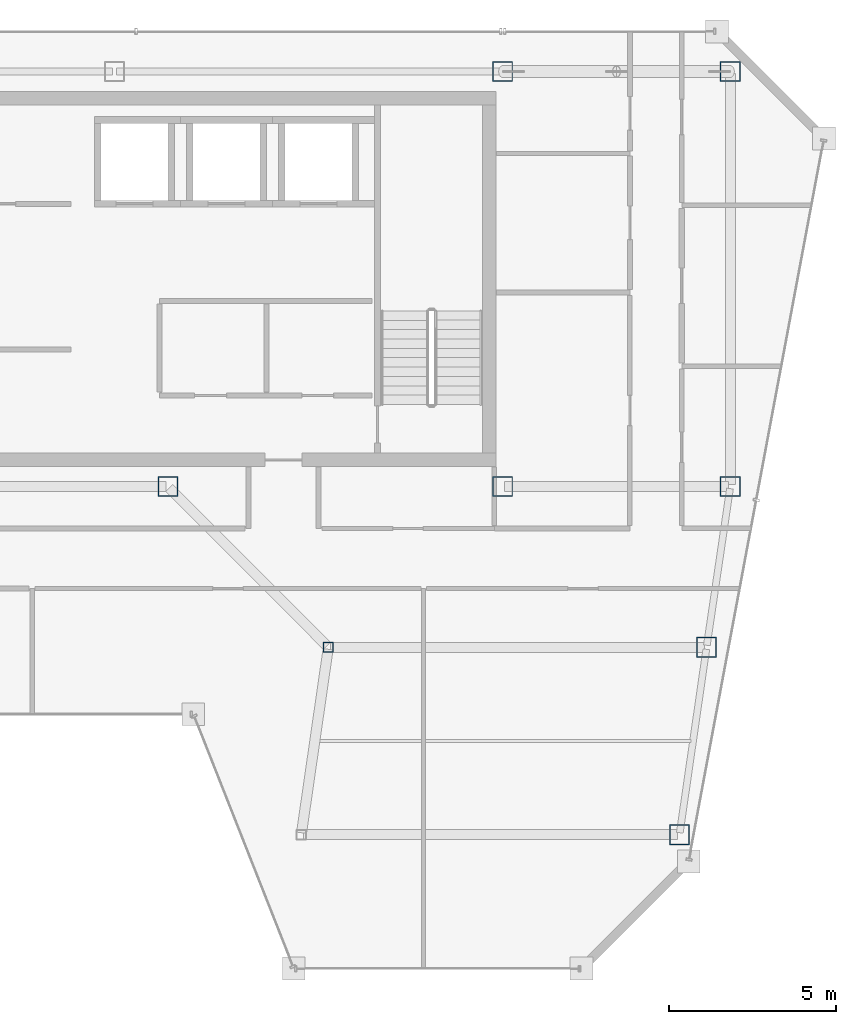
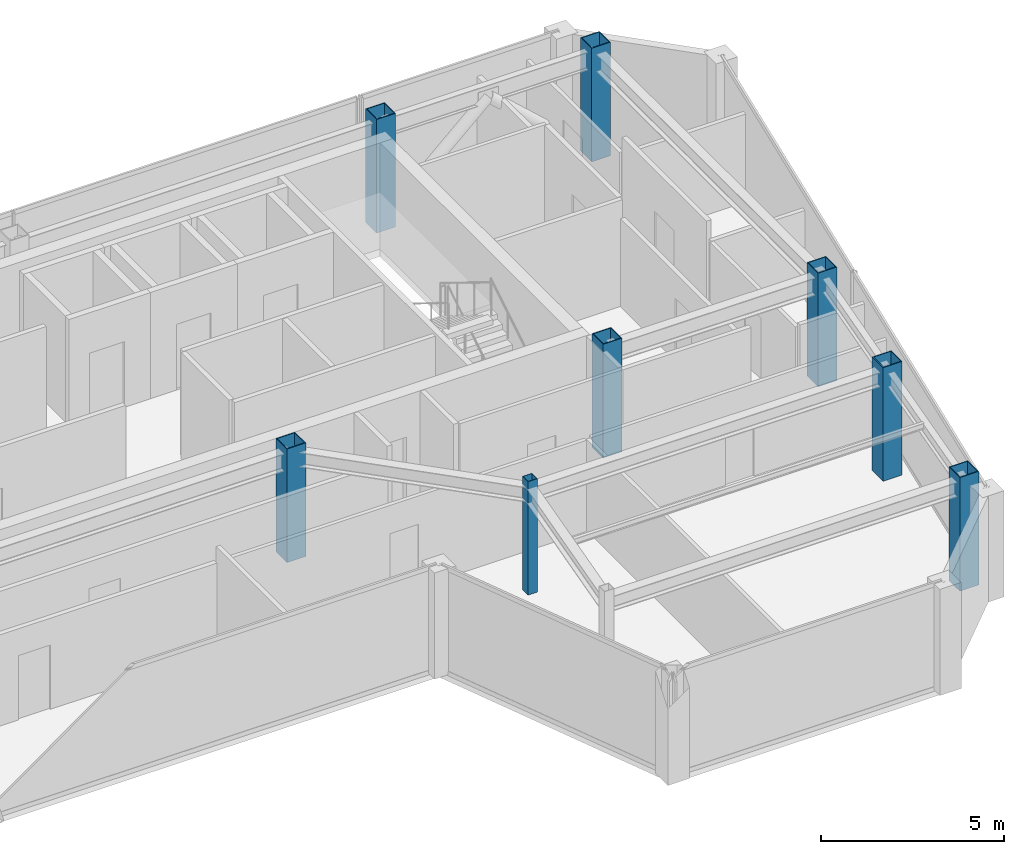
# One storey, part 2 of 22: 8 columns.
"""IFC4 building model written with IfcOpenShell, lengths in metres."""

from ifc_helpers import new_model, si_unit, direction, frame, origin, origin_2d, place, context, subcontext, project, spatial, hollow_rectangle, extrude, material, material_profile, profile_set, type_object, element, save


model = new_model("IFC4")

# Units and contexts
model_context = context("Model", 3, precision=1e-05, world=origin(), true_north=direction((0.0, 1.0)))
body_context = subcontext(model_context, "Body", "Model", "MODEL_VIEW")
ifc_project = project(units=[si_unit("LENGTHUNIT", "METRE"), si_unit("AREAUNIT", "SQUARE_METRE"), si_unit("VOLUMEUNIT", "CUBIC_METRE"), si_unit("PLANEANGLEUNIT", "RADIAN"), si_unit("MASSUNIT", "GRAM", prefix="KILO")], contexts=[model_context])

# Site, building, storey
site_placement = place(None, origin())
site = spatial("IfcSite", under=ifc_project, at=site_placement, CompositionType="ELEMENT")
building_placement = place(site_placement, origin())
building = spatial("IfcBuilding", under=site, at=building_placement, Name="Saevonmaru Cultural Tower", CompositionType="ELEMENT")
storey_placement = place(building_placement, frame((0.0, 0.0, 287.60009765625)))
storey = spatial("IfcBuildingStorey", under=building, at=storey_placement, Name="L68", CompositionType="ELEMENT", Elevation=287.60009765625)

# Columns
ifc_material = material(Name="Steel SM355", Category="steel")
ifc_material_profile_1 = material_profile(ifc_material, hollow_rectangle(XDim=0.60009765625, YDim=0.60009765625, WallThickness=0.028076171875, at=origin_2d()), Name="BOX-600x600x28")
ifc_profile_set_1 = profile_set([ifc_material_profile_1], Name="Steel SM355")
column_type_1 = type_object("IfcColumnType", Name="COL-BOX-600", PredefinedType="COLUMN", material=ifc_profile_set_1)
for number, where, z_axis, x_axis, name in (
    (1, (46.39990234375, 54.800048828125, 0.0), (0.0, 0.0, 1.0), (1.0, 0.0, 0.0), "L68 Column TC-N5N"),
    (2, (53.199951171875, 54.800048828125, 0.0), (0.0, 0.0, 1.0), (1.0, 0.0, 0.0), "L68 Column TC-N6N"),
    (3, (36.39990234375, 42.39990234375, 0.0), (0.0, 0.0, 1.0), (1.0, 0.0, 0.0), "L68 Column TC-S4C"),
    (4, (46.39990234375, 42.39990234375, 0.0), (0.0, 0.0, 1.0), (1.0, 0.0, 0.0), "L68 Column TC-S5C"),
    (5, (53.199951171875, 42.39990234375, 0.0), (0.0, 0.0, 1.0), (1.0, 0.0, 0.0), "L68 Column TC-S6C"),
    (6, (51.68310546875, 32.0, 0.0), (0.0, 0.0, 1.0), (1.0, 0.0, 0.0), "L68 Column TC-EO-Y320"),
    (7, (52.491943359375, 37.60009765625, 0.0), (0.0, 0.0, 1.0), (1.0, 0.0, 0.0), "L68 Column TC-EO-Y376"),
):
    element("IfcColumn", number, at=place(storey_placement, frame(where, z_axis=z_axis, x_axis=x_axis)), inside=storey, type_object=column_type_1, Name=name, PredefinedType="COLUMN", context=body_context, shape_type="SweptSolid", body=[
        extrude(hollow_rectangle(XDim=0.60009765625, YDim=0.60009765625, WallThickness=0.028076171875, at=origin_2d()), origin(), (0.0, 0.0, 1.0), 3.7998046875),
    ])
ifc_material_profile_2 = material_profile(ifc_material, hollow_rectangle(XDim=0.300048828125, YDim=0.300048828125, WallThickness=0.011962890625, at=origin_2d()), Name="SHS-300x300x12")
ifc_profile_set_2 = profile_set([ifc_material_profile_2], Name="Steel SM355")
column_type_2 = type_object("IfcColumnType", Name="COL-SHS-300", PredefinedType="COLUMN", material=ifc_profile_set_2)
column_placement = place(storey_placement, frame((41.19189453125, 37.60009765625, 0.0), z_axis=(0.0, 0.0, 1.0), x_axis=(1.0, 0.0, 0.0)))
element("IfcColumn", 8, at=column_placement, inside=storey, type_object=column_type_2, Name="L68 Column TC-EI-Y376", PredefinedType="COLUMN", context=body_context, shape_type="SweptSolid", body=[
    extrude(hollow_rectangle(XDim=0.300048828125, YDim=0.300048828125, WallThickness=0.011962890625, at=origin_2d()), origin(), (0.0, 0.0, 1.0), 3.7998046875),
])

save(model, "model.ifc")
